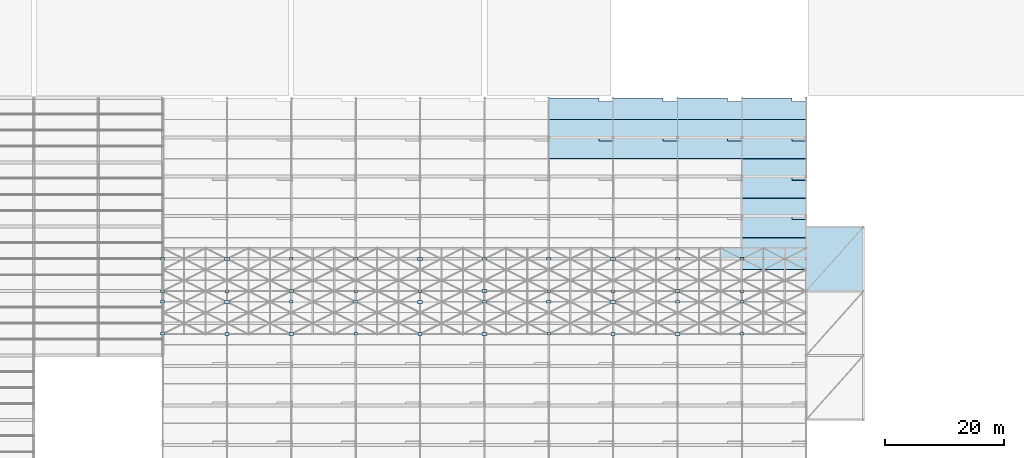
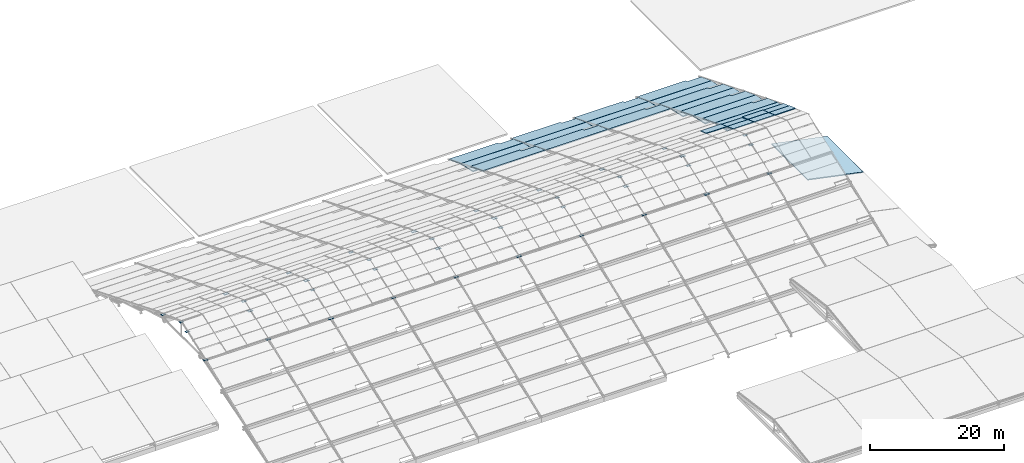
# One storey, part 104 of 112: 47 plates, 18 slabs, 4 elements without a shape of their own.
"""IFC4 building model written with IfcOpenShell, lengths in metres."""

from ifc_helpers import new_model, si_unit, direction, frame, origin, origin_2d, place, context, subcontext, project, spatial, polyline, rectangle, outline, extrude, material, layer, layer_set, type_object, element, aggregate, save


model = new_model("IFC4")

# Units and contexts
model_context = context("Model", 3, precision=1e-05, world=origin(), true_north=direction((0.0, 1.0)))
body_context = subcontext(model_context, "Body", "Model", "MODEL_VIEW")
ifc_project = project(units=[si_unit("LENGTHUNIT", "METRE"), si_unit("AREAUNIT", "SQUARE_METRE"), si_unit("VOLUMEUNIT", "CUBIC_METRE"), si_unit("PLANEANGLEUNIT", "RADIAN"), si_unit("MASSUNIT", "GRAM", prefix="KILO")], contexts=[model_context])

# Site, building, storey
site_placement = place(None, origin())
site = spatial("IfcSite", under=ifc_project, at=site_placement, CompositionType="ELEMENT")
building_placement = place(site_placement, origin())
building = spatial("IfcBuilding", under=site, at=building_placement, Name="Zwinboog Wholesale Market", CompositionType="ELEMENT")
storey_placement = place(building_placement, frame((0.0, 0.0, 19.080078125)))
storey = spatial("IfcBuildingStorey", under=building, at=storey_placement, Name="Roof", CompositionType="ELEMENT", Elevation=19.080078125)

# Roof, slabs
ifc_material_1 = material(Name="Concrete C50/60", Category="concrete")
roof_type = type_object("IfcRoofType", Name="RFT-SHELL-BARREL", PredefinedType="BARREL_ROOF", material=ifc_material_1)
roof_1_placement = place(storey_placement, origin())
roof_1 = element("IfcRoof", 1, at=roof_1_placement, inside=storey, type_object=roof_type, Name="RF-SH (ROOF-BARREL-02)", PredefinedType="BARREL_ROOF")
ifc_layer_1 = layer(ifc_material_1, 0.159912109375)
ifc_layer_set_1 = layer_set([ifc_layer_1], Name="Concrete C50/60")
slab_type_1 = type_object("IfcSlabType", Name="SLT-SH-160", PredefinedType="ROOF", material=ifc_layer_set_1)
slab_1_placement = place(storey_placement, frame((129.610107421875, 104.409912109375, -8.135009765625), z_axis=(4.69326e-06, 0.351688567707, 0.936117060694), x_axis=(0.999999999989, -1.650566e-06, -4.393441e-06)))
slab_1 = element("IfcSlab", 2, at=slab_1_placement, type_object=slab_type_1, Name="SH-160 (SLB-SH-NT1-B07-1)", PredefinedType="ROOF", context=body_context, shape_type="SweptSolid", body=[
    extrude(outline(polyline([(0.0, 0.0), (10.779785156131279, 0.0), (10.77978515650044, 3.183371243768934), (8.37988281277687, 3.183371243768934), (8.379882812301986, 3.824383031661528), (-1.0572380666834866e-10, 3.824383031661528), (0.0, 0.0)])), origin(), (0.0, 0.0, -1.0), 0.159912109375),
])
slab_2_placement = place(storey_placement, frame((129.610107421875, 100.81005859375, -7.330078125), z_axis=(0.0, 0.219374447053, 0.975640739197), x_axis=(1.0, 0.0, 0.0)))
slab_2 = element("IfcSlab", 3, at=slab_2_placement, type_object=slab_type_1, Name="SH-160 (SLB-SH-NT1-B07-2)", PredefinedType="ROOF", context=body_context, shape_type="SweptSolid", body=[
    extrude(outline(polyline([(0.0, 0.0), (10.77978515625, 0.0), (10.77978515625, 3.6692133082944967), (0.0, 3.6692133082944967), (0.0, 0.0)])), origin(), (0.0, 0.0, -1.0), 0.159912109375),
])

roof_2_placement = place(storey_placement, origin())
roof_2 = element("IfcRoof", 4, at=roof_2_placement, inside=storey, type_object=roof_type, Name="RF-SH (ROOF-BARREL-03)", PredefinedType="BARREL_ROOF")
slab_3_placement = place(storey_placement, frame((140.409912109375, 104.409912109375, -8.135009765625), z_axis=(4.69315e-06, 0.351688567577, 0.936117060743), x_axis=(0.999999999989, -1.650527e-06, -4.393337e-06)))
slab_3 = element("IfcSlab", 5, at=slab_3_placement, type_object=slab_type_1, Name="SH-160 (SLB-SH-NT1-B08-1)", PredefinedType="ROOF", context=body_context, shape_type="SweptSolid", body=[
    extrude(outline(polyline([(0.0, 0.0), (10.78002929675628, 2.2827599967049336e-21), (10.780029297125436, 3.183371243768923), (8.380126953401867, 3.183371243768923), (8.380126952926993, 3.824383031661531), (-1.0571883235301646e-10, 3.824383031661531), (0.0, 0.0)])), origin(), (0.0, 0.0, -1.0), 0.159912109375),
])
slab_4_placement = place(storey_placement, frame((140.409912109375, 100.81005859375, -7.330078125), z_axis=(0.0, 0.219374447053, 0.975640739197), x_axis=(1.0, 0.0, 0.0)))
slab_4 = element("IfcSlab", 6, at=slab_4_placement, type_object=slab_type_1, Name="SH-160 (SLB-SH-NT1-B08-2)", PredefinedType="ROOF", context=body_context, shape_type="SweptSolid", body=[
    extrude(outline(polyline([(0.0, 0.0), (10.780029296875, 0.0), (10.780029296875, 3.6692133082944967), (0.0, 3.6692133082944967), (0.0, 0.0)])), origin(), (0.0, 0.0, -1.0), 0.159912109375),
])

roof_3_placement = place(storey_placement, origin())
roof_3 = element("IfcRoof", 7, at=roof_3_placement, inside=storey, type_object=roof_type, Name="RF-SH (ROOF-BARREL-04)", PredefinedType="BARREL_ROOF")
slab_5_placement = place(storey_placement, frame((151.2099609375, 104.409912109375, -8.135009765625), z_axis=(4.69315e-06, 0.351688567577, 0.936117060743), x_axis=(0.999999999989, -1.650527e-06, -4.393337e-06)))
slab_5 = element("IfcSlab", 8, at=slab_5_placement, type_object=slab_type_1, Name="SH-160 (SLB-SH-NT1-B09-1)", PredefinedType="ROOF", context=body_context, shape_type="SweptSolid", body=[
    extrude(outline(polyline([(0.0, 0.0), (10.78002929675628, 2.2827599967049336e-21), (10.780029297125436, 3.183371243768923), (8.380126953401867, 3.183371243768923), (8.380126952926993, 3.824383031661531), (-1.0571883235301646e-10, 3.824383031661531), (0.0, 0.0)])), origin(), (0.0, 0.0, -1.0), 0.159912109375),
])
slab_6_placement = place(storey_placement, frame((151.2099609375, 100.81005859375, -7.330078125), z_axis=(0.0, 0.219374447053, 0.975640739197), x_axis=(1.0, 0.0, 0.0)))
slab_6 = element("IfcSlab", 9, at=slab_6_placement, type_object=slab_type_1, Name="SH-160 (SLB-SH-NT1-B09-2)", PredefinedType="ROOF", context=body_context, shape_type="SweptSolid", body=[
    extrude(outline(polyline([(0.0, 0.0), (10.780029296875, 0.0), (10.780029296875, 3.6692133082944967), (0.0, 3.6692133082944967), (0.0, 0.0)])), origin(), (0.0, 0.0, -1.0), 0.159912109375),
])

roof_4_placement = place(storey_placement, origin())
roof_4 = element("IfcRoof", 10, at=roof_4_placement, inside=storey, type_object=roof_type, Name="RF-SH (ROOF-BARREL-05)", PredefinedType="BARREL_ROOF")
slab_7_placement = place(storey_placement, frame((162.010009765625, 104.409912109375, -8.135009765625), z_axis=(4.693168e-06, 0.35168856816, 0.936117060524), x_axis=(0.999999999989, -1.650534e-06, -4.393355e-06)))
slab_7 = element("IfcSlab", 11, at=slab_7_placement, type_object=slab_type_1, Name="SH-160 (SLB-SH-NT1-B10-1)", PredefinedType="ROOF", context=body_context, shape_type="SweptSolid", body=[
    extrude(outline(polyline([(0.0, 0.0), (10.78002929675628, 2.2827599967049336e-21), (10.780029297125427, 3.1833712437689723), (8.37988281277686, 3.1833712437689723), (8.379882812301984, 3.8243830316615175), (-1.0573042088097136e-10, 3.8243830316615175), (0.0, 0.0)])), origin(), (0.0, 0.0, -1.0), 0.159912109375),
])
slab_8_placement = place(storey_placement, frame((162.010009765625, 100.81005859375, -7.330078125), z_axis=(0.0, 0.219374447053, 0.975640739197), x_axis=(1.0, 0.0, 0.0)))
slab_8 = element("IfcSlab", 12, at=slab_8_placement, type_object=slab_type_1, Name="SH-160 (SLB-SH-NT1-B10-2)", PredefinedType="ROOF", context=body_context, shape_type="SweptSolid", body=[
    extrude(outline(polyline([(0.0, 0.0), (10.780029296875, 0.0), (10.780029296875, 3.6692133082944967), (0.0, 3.6692133082944967), (0.0, 0.0)])), origin(), (0.0, 0.0, -1.0), 0.159912109375),
])

# Slab
ifc_layer_2 = layer(ifc_material_1, 0.172119140625)
ifc_layer_set_2 = layer_set([ifc_layer_2], Name="Concrete C50/60")
slab_type_2 = type_object("IfcSlabType", Name="SLT-SH-172", PredefinedType="ROOF", material=ifc_layer_set_2)
slab_9_placement = place(storey_placement, frame((129.610107421875, 97.81005859375, -5.43505859375), z_axis=(1.249594e-06, 0.351705539607, 0.936110684379), x_axis=(0.999999999999, -4.39489e-07, -1.169758e-06)))
slab_9 = element("IfcSlab", 13, at=slab_9_placement, type_object=slab_type_2, Name="SH-172 (SLB-SH-NT2-B07-1)", PredefinedType="ROOF", context=body_context, shape_type="SweptSolid", body=[
    extrude(outline(polyline([(0.0, 0.0), (10.779785156241584, 0.0), (10.779785156267753, 3.1833712446718234), (8.379882812519627, 3.1833712446718234), (8.379882812485963, 3.824154487977018), (-7.494821892877005e-12, 3.824154487977018), (0.0, 0.0)])), origin(), (0.0, 0.0, -1.0), 0.172119140625),
])

aggregate(roof_1, [slab_1, slab_2, slab_9])

slab_10_placement = place(storey_placement, frame((140.409912109375, 97.81005859375, -5.43505859375), z_axis=(1.249564e-06, 0.351705539572, 0.936110684392), x_axis=(0.999999999999, -4.39479e-07, -1.169731e-06)))
slab_10 = element("IfcSlab", 14, at=slab_10_placement, type_object=slab_type_2, Name="SH-172 (SLB-SH-NT2-B08-1)", PredefinedType="ROOF", context=body_context, shape_type="SweptSolid", body=[
    extrude(outline(polyline([(0.0, 0.0), (10.780029296866584, -5.706899991762334e-22), (10.780029296892753, 3.183371244671823), (8.380126953144627, 3.183371244671823), (8.380126953110963, 3.824154487977019), (-7.494469264378976e-12, 3.824154487977019), (0.0, 0.0)])), origin(), (0.0, 0.0, -1.0), 0.172119140625),
])

aggregate(roof_2, [slab_3, slab_4, slab_10])

slab_11_placement = place(storey_placement, frame((151.2099609375, 97.81005859375, -5.43505859375), z_axis=(1.249564e-06, 0.351705539572, 0.936110684392), x_axis=(0.999999999999, -4.39479e-07, -1.169731e-06)))
slab_11 = element("IfcSlab", 15, at=slab_11_placement, type_object=slab_type_2, Name="SH-172 (SLB-SH-NT2-B09-1)", PredefinedType="ROOF", context=body_context, shape_type="SweptSolid", body=[
    extrude(outline(polyline([(0.0, 0.0), (10.780029296866584, -5.706899991762334e-22), (10.780029296892753, 3.183371244671823), (8.380126953144627, 3.183371244671823), (8.380126953110963, 3.824154487977019), (-7.494469264378976e-12, 3.824154487977019), (0.0, 0.0)])), origin(), (0.0, 0.0, -1.0), 0.172119140625),
])

aggregate(roof_3, [slab_5, slab_6, slab_11])

slab_12_placement = place(storey_placement, frame((162.010009765625, 97.81005859375, -5.43505859375), z_axis=(1.249569e-06, 0.351705539728, 0.936110684334), x_axis=(0.999999999999, -4.3948e-07, -1.169735e-06)))
slab_12 = element("IfcSlab", 16, at=slab_12_placement, type_object=slab_type_2, Name="SH-172 (SLB-SH-NT2-B10-1)", PredefinedType="ROOF", context=body_context, shape_type="SweptSolid", body=[
    extrude(outline(polyline([(0.0, 0.0), (10.780029296866584, 0.0), (10.780029296892753, 3.183371244671827), (8.379882812519627, 3.183371244671827), (8.379882812485961, 3.824154487977018), (-7.495290763518035e-12, 3.824154487977018), (0.0, 0.0)])), origin(), (0.0, 0.0, -1.0), 0.172119140625),
])

slab_13_placement = place(storey_placement, frame((162.010009765625, 94.2099609375, -4.630126953125), z_axis=(0.0, 0.219360206869, 0.975643941017), x_axis=(1.0, 0.0, 0.0)))
slab_13 = element("IfcSlab", 17, at=slab_13_placement, type_object=slab_type_2, Name="SH-172 (SLB-SH-NT2-B10-2)", PredefinedType="ROOF", context=body_context, shape_type="SweptSolid", body=[
    extrude(outline(polyline([(0.0, 0.0), (10.780029296875, 0.0), (10.780029296875, 3.669451502225199), (0.0, 3.669451502225199), (0.0, 0.0)])), origin(), (0.0, 0.0, -1.0), 0.172119140625),
])

slab_14_placement = place(storey_placement, frame((172.800048828125, 75.6201171875, -8.68017578125), z_axis=(0.203957236795, 0.0, 0.978979798341), x_axis=(0.978979798341, 0.0, -0.203957236795)))
element("IfcSlab", 18, at=slab_14_placement, inside=storey, type_object=slab_type_2, Name="SH-172 (SLB-CAN-03)", PredefinedType="ROOF", context=body_context, shape_type="SweptSolid", body=[
    extrude(outline(polyline([(0.0, 0.0), (9.8059771324156, 0.0), (9.8059771324156, 10.759765625), (0.0, 10.759765625), (0.0, 0.0)])), origin(), (0.0, 0.0, -1.0), 0.179931640625),
])

ifc_layer_3 = layer(ifc_material_1, 0.18603515625)
ifc_layer_set_3 = layer_set([ifc_layer_3], Name="Concrete C50/60")
slab_type_3 = type_object("IfcSlabType", Name="SLT-SH-186", PredefinedType="ROOF", material=ifc_layer_set_3)
slab_15_placement = place(storey_placement, frame((162.010009765625, 91.2099609375, -2.735107421875), z_axis=(4.693168e-06, 0.35168856816, 0.936117060524), x_axis=(0.999999999989, -1.650534e-06, -4.393355e-06)))
slab_15 = element("IfcSlab", 19, at=slab_15_placement, type_object=slab_type_3, Name="SH-186 (SLB-SH-NT3-B10-1)", PredefinedType="ROOF", context=body_context, shape_type="SweptSolid", body=[
    extrude(outline(polyline([(0.0, 0.0), (10.78002929675628, 2.2827599967049336e-21), (10.780029297125427, 3.1833712437689723), (8.37988281277686, 3.1833712437689723), (8.379882812301984, 3.8243830316615175), (-1.0573042088097136e-10, 3.8243830316615175), (0.0, 0.0)])), origin(), (0.0, 0.0, -1.0), 0.18603515625),
])

slab_16_placement = place(storey_placement, frame((162.010009765625, 87.610107421875, -1.93017578125), z_axis=(0.0, 0.219374447053, 0.975640739197), x_axis=(1.0, 0.0, 0.0)))
slab_16 = element("IfcSlab", 20, at=slab_16_placement, type_object=slab_type_3, Name="SH-186 (SLB-SH-NT3-B10-2)", PredefinedType="ROOF", context=body_context, shape_type="SweptSolid", body=[
    extrude(outline(polyline([(0.0, 0.0), (10.780029296875, 0.0), (10.780029296875, 3.6692133082944967), (0.0, 3.6692133082944967), (0.0, 0.0)])), origin(), (0.0, 0.0, -1.0), 0.18603515625),
])

ifc_layer_4 = layer(ifc_material_1, 0.201904296875)
ifc_layer_set_4 = layer_set([ifc_layer_4], Name="Concrete C50/60")
slab_type_4 = type_object("IfcSlabType", Name="SLT-SH-202", PredefinedType="ROOF", material=ifc_layer_set_4)
slab_17_placement = place(storey_placement, frame((162.010009765625, 84.610107421875, -0.03515625), z_axis=(1.249569e-06, 0.351705539728, 0.936110684334), x_axis=(0.999999999999, -4.3948e-07, -1.169735e-06)))
slab_17 = element("IfcSlab", 21, at=slab_17_placement, type_object=slab_type_4, Name="SH-202 (SLB-SH-NT4-B10-1)", PredefinedType="ROOF", context=body_context, shape_type="SweptSolid", body=[
    extrude(outline(polyline([(0.0, 0.0), (10.780029296866584, 0.0), (10.780029296892753, 3.183371244671827), (8.379882812519627, 3.183371244671827), (8.379882812485961, 3.824154487977018), (-7.495290763518035e-12, 3.824154487977018), (0.0, 0.0)])), origin(), (0.0, 0.0, -1.0), 0.201904296875),
])

slab_18_placement = place(storey_placement, frame((162.010009765625, 81.010009765625, 0.77001953125), z_axis=(0.0, 0.219423537249, 0.975629699887), x_axis=(1.0, 0.0, 0.0)))
slab_18 = element("IfcSlab", 22, at=slab_18_placement, type_object=slab_type_4, Name="SH-202 (SLB-SH-NT4-B10-2)", PredefinedType="ROOF", context=body_context, shape_type="SweptSolid", body=[
    extrude(outline(polyline([(0.0, 0.0), (10.780029296875, 0.0), (10.780029296875, 3.66950506469402), (0.0, 3.66950506469402), (0.0, 0.0)])), origin(), (0.0, 0.0, -1.0), 0.201904296875),
])

aggregate(roof_4, [slab_7, slab_8, slab_12, slab_13, slab_15, slab_16, slab_17, slab_18])

# Plates
ifc_material_2 = material(Name="Blue solar control glass", Category="glass")
ifc_layer_5 = layer(ifc_material_2, 0.0458984375)
ifc_layer_set_5 = layer_set([ifc_layer_5], Name="Blue solar control glass")
plate_type_1 = type_object("IfcPlateType", Name="PLT-SKG-05", PredefinedType="SHEET", material=ifc_layer_set_5)
plate_1_placement = place(storey_placement, frame((162.02001953125, 81.02001953125, 1.396240234375), z_axis=(0.0, 0.333825357548, 0.942634940291), x_axis=(1.0, 0.0, 0.0)))
element("IfcPlate", 23, at=plate_1_placement, inside=storey, type_object=plate_type_1, Name="SKG-05 (PLT-SKY-0264)", PredefinedType="SHEET", context=body_context, shape_type="SweptSolid", body=[
    extrude(outline(polyline([(0.0, 0.0), (3.56005859375, 0.0), (3.56005859375, 1.8671170464794682), (0.0, 1.8671170464794682), (0.0, 0.0)])), origin(), (0.0, 0.0, -1.0), 0.0458984375),
])
ifc_material_3 = material(Name="White insulated aluminium roof panel", Category="aluminium")
ifc_layer_6 = layer(ifc_material_3, 0.110107421875)
ifc_layer_set_6 = layer_set([ifc_layer_6], Name="White insulated aluminium roof panel")
plate_type_2 = type_object("IfcPlateType", Name="PLT-SKW-01", PredefinedType="USERDEFINED", material=ifc_layer_set_6)
plate_2_placement = place(storey_placement, frame((169.219970703125, 81.02001953125, 1.460205078125), z_axis=(0.0, 0.333825357548, 0.942634940291), x_axis=(1.0, 0.0, 0.0)))
element("IfcPlate", 24, at=plate_2_placement, inside=storey, type_object=plate_type_2, Name="SKW-01 (PLT-SKY-0280)", ObjectType="INSULATED_ROOF_PANEL", PredefinedType="USERDEFINED", context=body_context, shape_type="SweptSolid", body=[
    extrude(outline(polyline([(0.0, 0.0), (3.56005859375, 0.0), (3.56005859375, 1.8671170464794682), (0.0, 1.8671170464794682), (0.0, 0.0)])), origin(), (0.0, 0.0, -1.0), 0.110107421875),
])
ifc_layer_7 = layer(ifc_material_3, 0.139892578125)
ifc_layer_set_7 = layer_set([ifc_layer_7], Name="White insulated aluminium roof panel")
plate_type_3 = type_object("IfcPlateType", Name="PLT-SKW-04", PredefinedType="USERDEFINED", material=ifc_layer_set_7)
for number, where, z_axis, x_axis, name in (
    (25, (158.419921875, 81.02001953125, 1.490234375), (0.0, 0.333825357548, 0.942634940291), (1.0, 0.0, 0.0), "SKW-04 (PLT-SKY-0252)"),
    (26, (162.02001953125, 79.219970703125, 2.1279296875), (0.0, 0.333825357548, 0.942634940291), (1.0, 0.0, 0.0), "SKW-04 (PLT-SKY-0262)"),
):
    element("IfcPlate", number, at=place(storey_placement, frame(where, z_axis=z_axis, x_axis=x_axis)), inside=storey, type_object=plate_type_3, Name=name, ObjectType="INSULATED_ROOF_PANEL", PredefinedType="USERDEFINED", context=body_context, shape_type="SweptSolid", body=[
        extrude(outline(polyline([(0.0, 0.0), (3.56005859375, 0.0), (3.56005859375, 1.8671170464794682), (0.0, 1.8671170464794682), (0.0, 0.0)])), origin(), (0.0, 0.0, -1.0), 0.139892578125),
    ])
ifc_layer_8 = layer(ifc_material_3, 0.14990234375)
ifc_layer_set_8 = layer_set([ifc_layer_8], Name="White insulated aluminium roof panel")
plate_type_4 = type_object("IfcPlateType", Name="PLT-SKW-05", PredefinedType="USERDEFINED", material=ifc_layer_set_8)
plate_3_placement = place(storey_placement, frame((165.6201171875, 79.219970703125, 2.137939453125), z_axis=(0.0, 0.333941536415, 0.942593788573), x_axis=(1.0, 0.0, 0.0)))
element("IfcPlate", 27, at=plate_3_placement, inside=storey, type_object=plate_type_4, Name="SKW-05 (PLT-SKY-0271)", ObjectType="INSULATED_ROOF_PANEL", PredefinedType="USERDEFINED", context=body_context, shape_type="SweptSolid", body=[
    extrude(outline(polyline([(0.0, 0.0), (3.559814453125, 0.0), (3.559814453125, 1.867198560993201), (0.0, 1.867198560993201), (0.0, 0.0)])), origin(), (0.0, 0.0, -1.0), 0.14990234375),
])
ifc_layer_9 = layer(ifc_material_3, 0.162109375)
ifc_layer_set_9 = layer_set([ifc_layer_9], Name="White insulated aluminium roof panel")
plate_type_5 = type_object("IfcPlateType", Name="PLT-SKW-06", PredefinedType="USERDEFINED", material=ifc_layer_set_9)
plate_4_placement = place(storey_placement, frame((165.6201171875, 81.02001953125, 1.51220703125), z_axis=(0.0, 0.333825357548, 0.942634940291), x_axis=(1.0, 0.0, 0.0)))
element("IfcPlate", 28, at=plate_4_placement, inside=storey, type_object=plate_type_5, Name="SKW-06 (PLT-SKY-0272)", ObjectType="INSULATED_ROOF_PANEL", PredefinedType="USERDEFINED", context=body_context, shape_type="SweptSolid", body=[
    extrude(outline(polyline([(0.0, 0.0), (3.559814453125, 0.0), (3.559814453125, 1.8671170464794682), (0.0, 1.8671170464794682), (0.0, 0.0)])), origin(), (0.0, 0.0, -1.0), 0.162109375),
])
plate_5_placement = place(storey_placement, frame((169.219970703125, 79.219970703125, 2.14990234375), z_axis=(0.0, 0.333825357548, 0.942634940291), x_axis=(1.0, 0.0, 0.0)))
element("IfcPlate", 29, at=plate_5_placement, inside=storey, type_object=plate_type_5, Name="SKW-06 (PLT-SKY-0279)", ObjectType="INSULATED_ROOF_PANEL", PredefinedType="USERDEFINED", context=body_context, shape_type="SweptSolid", body=[
    extrude(outline(polyline([(0.0, 0.0), (3.56005859375, 0.0), (3.56005859375, 1.8671170464794682), (0.0, 1.8671170464794682), (0.0, 0.0)])), origin(), (0.0, 0.0, -1.0), 0.162109375),
])
ifc_material_4 = material(Name="Steel S355", Category="steel")
ifc_layer_10 = layer(ifc_material_4, 0.02001953125)
ifc_layer_set_10 = layer_set([ifc_layer_10], Name="Steel S355")
plate_type_6 = type_object("IfcPlateType", Name="PLT-GUS-02", PredefinedType="USERDEFINED", material=ifc_layer_set_10)
for number, where, z_axis, x_axis, name in (
    (30, (64.800048828125, 68.39990234375, 0.619873046875), (0.0, 0.0, 1.0), (1.0, 0.0, 0.0), "GS-02 (PLT-GUS-0001)"),
    (31, (64.800048828125, 75.60009765625, 3.169921875), (0.0, 0.0, 1.0), (1.0, 0.0, 0.0), "GS-02 (PLT-GUS-0007)"),
    (32, (86.39990234375, 73.800048828125, 2.532470703125), (0.0, 0.0, 1.0), (1.0, 0.0, 0.0), "GS-02 (PLT-GUS-0061)"),
    (33, (86.39990234375, 81.0, 1.25732421875), (0.0, 0.0, 1.0), (1.0, 0.0, 0.0), "GS-02 (PLT-GUS-0067)"),
    (34, (97.199951171875, 68.39990234375, 0.619873046875), (0.0, 0.0, 1.0), (1.0, 0.0, 0.0), "GS-02 (PLT-GUS-0085)"),
    (35, (97.199951171875, 75.60009765625, 3.169921875), (0.0, 0.0, 1.0), (1.0, 0.0, 0.0), "GS-02 (PLT-GUS-0091)"),
    (36, (118.800048828125, 73.800048828125, 2.532470703125), (0.0, 0.0, 1.0), (1.0, 0.0, 0.0), "GS-02 (PLT-GUS-0145)"),
    (37, (118.800048828125, 81.0, 1.25732421875), (0.0, 0.0, 1.0), (1.0, 0.0, 0.0), "GS-02 (PLT-GUS-0151)"),
    (38, (129.60009765625, 68.39990234375, 0.619873046875), (0.0, 0.0, 1.0), (1.0, 0.0, 0.0), "GS-02 (PLT-GUS-0169)"),
    (39, (129.60009765625, 75.60009765625, 3.169921875), (0.0, 0.0, 1.0), (1.0, 0.0, 0.0), "GS-02 (PLT-GUS-0175)"),
    (40, (151.199951171875, 73.800048828125, 2.532470703125), (0.0, 0.0, 1.0), (1.0, 0.0, 0.0), "GS-02 (PLT-GUS-0229)"),
    (41, (151.199951171875, 81.0, 1.25732421875), (0.0, 0.0, 1.0), (1.0, 0.0, 0.0), "GS-02 (PLT-GUS-0235)"),
    (42, (162.0, 68.39990234375, 0.619873046875), (0.0, 0.0, 1.0), (1.0, 0.0, 0.0), "GS-02 (PLT-GUS-0253)"),
    (43, (162.0, 75.60009765625, 3.169921875), (0.0, 0.0, 1.0), (1.0, 0.0, 0.0), "GS-02 (PLT-GUS-0259)"),
):
    element("IfcPlate", number, at=place(storey_placement, frame(where, z_axis=z_axis, x_axis=x_axis)), inside=storey, type_object=plate_type_6, Name=name, ObjectType="FLANGE_PLATE", PredefinedType="USERDEFINED", context=body_context, shape_type="SweptSolid", body=[
        extrude(rectangle(XDim=0.639892578125, YDim=0.419921875, at=origin_2d()), origin(), (0.0, 0.0, 1.0), 0.02001953125),
    ])
ifc_layer_11 = layer(ifc_material_4, 0.028076171875)
ifc_layer_set_11 = layer_set([ifc_layer_11], Name="Steel S355")
plate_type_7 = type_object("IfcPlateType", Name="PLT-GUS-04", PredefinedType="USERDEFINED", material=ifc_layer_set_11)
for number, where, z_axis, x_axis, name in (
    (44, (75.60009765625, 73.800048828125, 2.5283203125), (0.0, 0.0, 1.0), (1.0, 0.0, 0.0), "GS-04 (PLT-GUS-0033)"),
    (45, (75.60009765625, 81.0, 1.25341796875), (0.0, 0.0, 1.0), (1.0, 0.0, 0.0), "GS-04 (PLT-GUS-0039)"),
    (46, (86.39990234375, 68.39990234375, 0.61572265625), (0.0, 0.0, 1.0), (1.0, 0.0, 0.0), "GS-04 (PLT-GUS-0057)"),
    (47, (86.39990234375, 75.60009765625, 3.166015625), (0.0, 0.0, 1.0), (1.0, 0.0, 0.0), "GS-04 (PLT-GUS-0063)"),
    (48, (108.0, 73.800048828125, 2.5283203125), (0.0, 0.0, 1.0), (1.0, 0.0, 0.0), "GS-04 (PLT-GUS-0117)"),
    (49, (108.0, 81.0, 1.25341796875), (0.0, 0.0, 1.0), (1.0, 0.0, 0.0), "GS-04 (PLT-GUS-0123)"),
    (50, (118.800048828125, 68.39990234375, 0.61572265625), (0.0, 0.0, 1.0), (1.0, 0.0, 0.0), "GS-04 (PLT-GUS-0141)"),
    (51, (118.800048828125, 75.60009765625, 3.166015625), (0.0, 0.0, 1.0), (1.0, 0.0, 0.0), "GS-04 (PLT-GUS-0147)"),
    (52, (140.39990234375, 73.800048828125, 2.5283203125), (0.0, 0.0, 1.0), (1.0, 0.0, 0.0), "GS-04 (PLT-GUS-0201)"),
    (53, (140.39990234375, 81.0, 1.25341796875), (0.0, 0.0, 1.0), (1.0, 0.0, 0.0), "GS-04 (PLT-GUS-0207)"),
    (54, (151.199951171875, 68.39990234375, 0.61572265625), (0.0, 0.0, 1.0), (1.0, 0.0, 0.0), "GS-04 (PLT-GUS-0225)"),
    (55, (151.199951171875, 75.60009765625, 3.166015625), (0.0, 0.0, 1.0), (1.0, 0.0, 0.0), "GS-04 (PLT-GUS-0231)"),
):
    element("IfcPlate", number, at=place(storey_placement, frame(where, z_axis=z_axis, x_axis=x_axis)), inside=storey, type_object=plate_type_7, Name=name, ObjectType="FLANGE_PLATE", PredefinedType="USERDEFINED", context=body_context, shape_type="SweptSolid", body=[
        extrude(rectangle(XDim=0.800048828125, YDim=0.52001953125, at=origin_2d()), origin(), (0.0, 0.0, 1.0), 0.028076171875),
    ])
ifc_layer_12 = layer(ifc_material_4, 0.02197265625)
ifc_layer_set_12 = layer_set([ifc_layer_12], Name="Steel S355")
plate_type_8 = type_object("IfcPlateType", Name="PLT-GUS-06", PredefinedType="USERDEFINED", material=ifc_layer_set_12)
for number, where, z_axis, x_axis, name in (
    (56, (64.800048828125, 73.800048828125, 2.531494140625), (0.0, 0.0, 1.0), (1.0, 0.0, 0.0), "GS-06 (PLT-GUS-0005)"),
    (57, (64.800048828125, 81.0, 1.25634765625), (0.0, 0.0, 1.0), (1.0, 0.0, 0.0), "GS-06 (PLT-GUS-0011)"),
    (58, (75.60009765625, 68.39990234375, 0.618896484375), (0.0, 0.0, 1.0), (1.0, 0.0, 0.0), "GS-06 (PLT-GUS-0029)"),
    (59, (75.60009765625, 75.60009765625, 3.1689453125), (0.0, 0.0, 1.0), (1.0, 0.0, 0.0), "GS-06 (PLT-GUS-0035)"),
    (60, (97.199951171875, 73.800048828125, 2.531494140625), (0.0, 0.0, 1.0), (1.0, 0.0, 0.0), "GS-06 (PLT-GUS-0089)"),
    (61, (97.199951171875, 81.0, 1.25634765625), (0.0, 0.0, 1.0), (1.0, 0.0, 0.0), "GS-06 (PLT-GUS-0095)"),
    (62, (108.0, 68.39990234375, 0.618896484375), (0.0, 0.0, 1.0), (1.0, 0.0, 0.0), "GS-06 (PLT-GUS-0113)"),
    (63, (108.0, 75.60009765625, 3.1689453125), (0.0, 0.0, 1.0), (1.0, 0.0, 0.0), "GS-06 (PLT-GUS-0119)"),
    (64, (129.60009765625, 73.800048828125, 2.531494140625), (0.0, 0.0, 1.0), (1.0, 0.0, 0.0), "GS-06 (PLT-GUS-0173)"),
    (65, (129.60009765625, 81.0, 1.25634765625), (0.0, 0.0, 1.0), (1.0, 0.0, 0.0), "GS-06 (PLT-GUS-0179)"),
    (66, (140.39990234375, 68.39990234375, 0.618896484375), (0.0, 0.0, 1.0), (1.0, 0.0, 0.0), "GS-06 (PLT-GUS-0197)"),
    (67, (140.39990234375, 75.60009765625, 3.1689453125), (0.0, 0.0, 1.0), (1.0, 0.0, 0.0), "GS-06 (PLT-GUS-0203)"),
    (68, (162.0, 73.800048828125, 2.531494140625), (0.0, 0.0, 1.0), (1.0, 0.0, 0.0), "GS-06 (PLT-GUS-0257)"),
    (69, (162.0, 81.0, 1.25634765625), (0.0, 0.0, 1.0), (1.0, 0.0, 0.0), "GS-06 (PLT-GUS-0263)"),
):
    element("IfcPlate", number, at=place(storey_placement, frame(where, z_axis=z_axis, x_axis=x_axis)), inside=storey, type_object=plate_type_8, Name=name, ObjectType="FLANGE_PLATE", PredefinedType="USERDEFINED", context=body_context, shape_type="SweptSolid", body=[
        extrude(rectangle(XDim=0.679931640625, YDim=0.43994140625, at=origin_2d()), origin(), (0.0, 0.0, 1.0), 0.02197265625),
    ])

save(model, "model.ifc")
